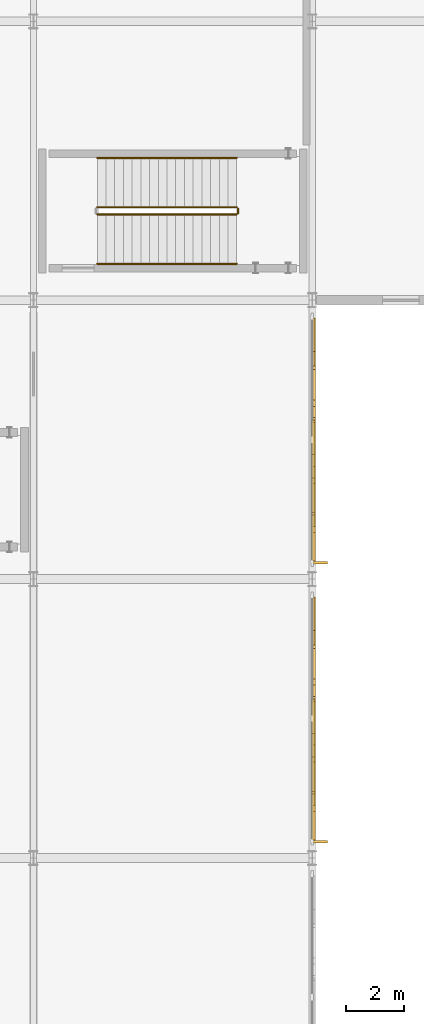
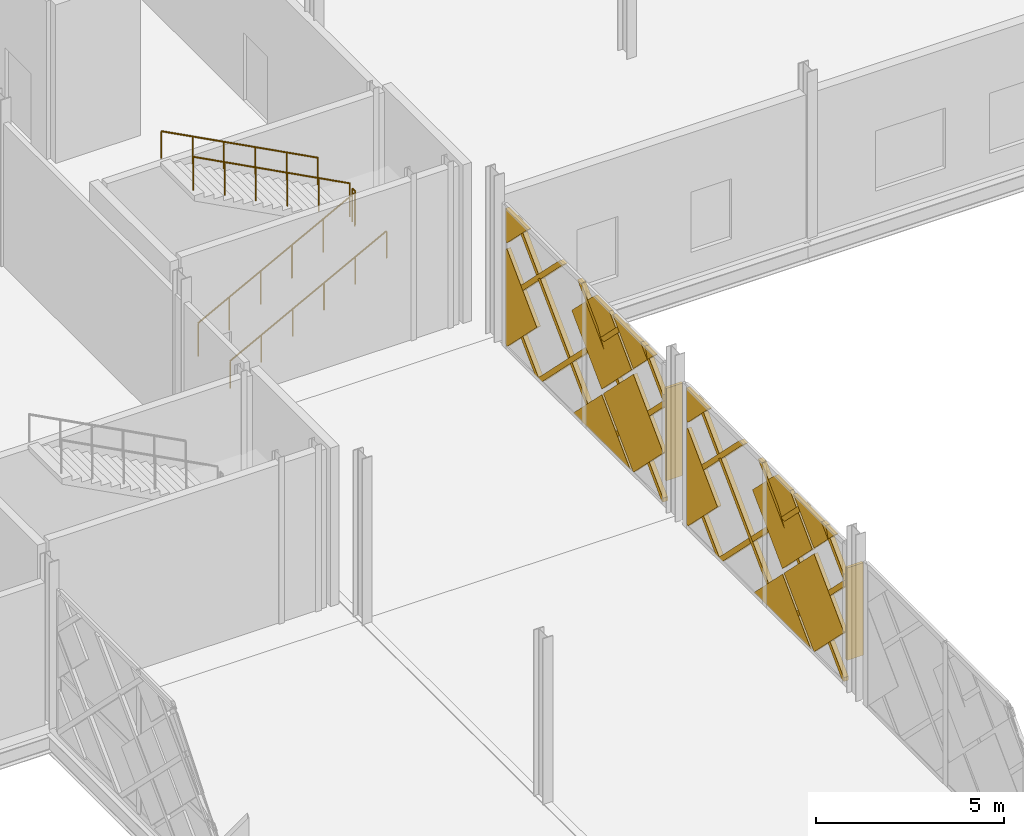
# One storey, part 76 of 84: 26 coverings, 5 railings, 2 shading devices.
"""IFC4 building model written with IfcOpenShell, lengths in metres."""

from ifc_helpers import new_model, si_unit, direction, frame, origin, origin_2d, place, context, subcontext, project, spatial, polyline, rectangle, circle, outline, extrude, material, layer, layer_set, type_object, element, save


model = new_model("IFC4")

# Units and contexts
model_context = context("Model", 3, precision=1e-05, world=origin(), true_north=direction((0.0, 1.0)))
body_context = subcontext(model_context, "Body", "Model", "MODEL_VIEW")
ifc_project = project(units=[si_unit("LENGTHUNIT", "METRE"), si_unit("AREAUNIT", "SQUARE_METRE"), si_unit("VOLUMEUNIT", "CUBIC_METRE"), si_unit("PLANEANGLEUNIT", "RADIAN"), si_unit("MASSUNIT", "GRAM", prefix="KILO")], contexts=[model_context])

# Site, building, storey
site_placement = place(None, origin())
site = spatial("IfcSite", under=ifc_project, at=site_placement, CompositionType="ELEMENT")
building_placement = place(site_placement, origin())
building = spatial("IfcBuilding", under=site, at=building_placement, Name="Zevrakil Square Congress Hotel", CompositionType="ELEMENT")
storey_placement = place(building_placement, origin())
storey = spatial("IfcBuildingStorey", under=building, at=storey_placement, Name="L01", CompositionType="ELEMENT", Elevation=0.0)

# Coverings
ifc_material_1 = material(Name="Architectural White Fibre-C GRC", Category="concrete")
ifc_layer_1 = layer(ifc_material_1, 0.06494140625)
ifc_layer_set_1 = layer_set([ifc_layer_1], Name="Architectural White Fibre-C GRC")
covering_type_1 = type_object("IfcCoveringType", Name="COV-DIA-WHITE", PredefinedType="CLADDING", material=ifc_layer_set_1)
covering_1_placement = place(storey_placement, frame((64.89404296875, 68.679931640625, 1.590087890625), z_axis=(0.999999790873, 0.0, 0.000646725815), x_axis=(0.000457304257, 0.707106707249, -0.707106707249)))
element("IfcCovering", 1, at=covering_1_placement, inside=storey, type_object=covering_type_1, Name="L01 45-degree white GRC diamond facade cassette 1837", PredefinedType="CLADDING", context=body_context, shape_type="SweptSolid", body=[
    extrude(outline(polyline([(0.0, 0.0), (2.1354765131557993, 0.0), (4.465861884739297e-07, -2.1354765131557527), (0.0, 0.0)])), origin(), (0.0, 0.0, -1.0), 0.1201171875),
])
covering_2_placement = place(storey_placement, frame((64.89306640625, 67.0, 3.27001953125), z_axis=(0.999999812555, 0.0, 0.000612282088), x_axis=(0.000432948857, 0.707106714509, -0.707106715321)))
element("IfcCovering", 2, at=covering_2_placement, inside=storey, type_object=covering_type_1, Name="L01 45-degree white GRC diamond facade cassette 1838", PredefinedType="CLADDING", context=body_context, shape_type="SweptSolid", body=[
    extrude(outline(polyline([(0.0, 0.0), (2.2487240723330113, -2.220446049250313e-16), (2.2485518629493897, -2.2485514388901082), (0.014156369068120789, -2.2487240696713924), (4.240836768421019e-07, -2.2345681273566487), (0.0, 0.0)])), origin(), (0.0, 0.0, -1.0), 0.1201171875),
])
covering_3_placement = place(storey_placement, frame((64.89501953125, 73.719970703125, 0.090087890625), z_axis=(0.999999810877, 4.3898e-08, 0.000615017515), x_axis=(-0.000434818663, -0.707161000838, 0.707052423677)))
element("IfcCovering", 3, at=covering_3_placement, inside=storey, type_object=covering_type_1, Name="L01 45-degree white GRC diamond facade cassette 1839", PredefinedType="CLADDING", context=body_context, shape_type="SweptSolid", body=[
    extrude(outline(polyline([(0.0, 0.0), (2.2485514454864757, 0.0), (2.248379222885326, -2.2487240657395344), (2.1634435533466254, -2.2487175608112517), (-0.0001791412122214009, -0.08476302283911175), (0.0, 0.0)])), origin(), (0.0, 0.0, -1.0), 0.1201171875),
])
covering_4_placement = place(storey_placement, frame((64.89306640625, 70.27001953125, 3.360107421875), z_axis=(0.999999855951, 0.0, 0.000536746823), x_axis=(0.000379537338, -0.707106744705, -0.707106715811)))
element("IfcCovering", 4, at=covering_4_placement, inside=storey, type_object=covering_type_1, Name="L01 45-degree white GRC diamond facade cassette 1840", PredefinedType="CLADDING", context=body_context, shape_type="SweptSolid", body=[
    extrude(outline(polyline([(0.0, 0.0), (2.2487239763057922, 0.0), (2.2485511107858227, -2.248551342805373), (0.5729702849818592, -2.24855141365585), (0.0001723897352289283, -1.6757534593043544), (0.0, 0.0)])), origin(), (0.0, 0.0, -1.0), 0.1201171875),
])
covering_5_placement = place(storey_placement, frame((64.892822265625, 67.0, 3.449951171875), z_axis=(0.999999900573, 0.0, 0.000445930836), x_axis=(-0.000315320734, -0.707106746034, 0.707106746034)))
element("IfcCovering", 5, at=covering_5_placement, inside=storey, type_object=covering_type_1, Name="L01 45-degree white GRC diamond facade cassette 1841", PredefinedType="CLADDING", context=body_context, shape_type="SweptSolid", body=[
    extrude(outline(polyline([(0.0, 0.0), (1.548522495743182, 1.1102230246251565e-16), (1.5396520214316922e-07, -1.5485224957431742), (0.0, 0.0)])), origin(), (0.0, 0.0, -1.0), 0.1201171875),
])
covering_6_placement = place(storey_placement, frame((64.892822265625, 73.719970703125, 3.449951171875), z_axis=(0.999999899787, -2.2101104e-05, 0.000447143071), x_axis=(-0.000331805751, -0.707106745765, 0.707106738759)))
element("IfcCovering", 6, at=covering_6_placement, inside=storey, type_object=covering_type_1, Name="L01 45-degree white GRC diamond facade cassette 1842", PredefinedType="CLADDING", context=body_context, shape_type="SweptSolid", body=[
    extrude(outline(polyline([(0.0, 0.0), (1.5485224955327719, -1.1102230246251565e-16), (0.7317934881557022, -0.8167290888028746), (-4.2082005241583786e-10, -0.08493567398217175), (0.0, 0.0)])), origin(), (0.0, 0.0, -1.0), 0.1201171875),
])
covering_7_placement = place(storey_placement, frame((64.89404296875, 78.280029296875, 1.590087890625), z_axis=(0.999999790873, 0.0, 0.000646725815), x_axis=(0.000457304257, 0.707106707249, -0.707106707249)))
element("IfcCovering", 7, at=covering_7_placement, inside=storey, type_object=covering_type_1, Name="L01 45-degree white GRC diamond facade cassette 1905", PredefinedType="CLADDING", context=body_context, shape_type="SweptSolid", body=[
    extrude(outline(polyline([(0.0, 0.0), (2.1354765131557993, 0.0), (4.465861884739297e-07, -2.1354765131557527), (0.0, 0.0)])), origin(), (0.0, 0.0, -1.0), 0.1201171875),
])
covering_8_placement = place(storey_placement, frame((64.89306640625, 76.60009765625, 3.27001953125), z_axis=(0.999999812555, 0.0, 0.000612281941), x_axis=(0.000432981992, 0.707052423992, -0.70716100165)))
element("IfcCovering", 8, at=covering_8_placement, inside=storey, type_object=covering_type_1, Name="L01 45-degree white GRC diamond facade cassette 1906", PredefinedType="CLADDING", context=body_context, shape_type="SweptSolid", body=[
    extrude(outline(polyline([(0.0, 0.0), (2.248551445484795, 2.220446049250313e-16), (2.2487244898296543, -2.2483787987232713), (0.014329015787474475, -2.248722976182532), (0.0001719840161686914, -2.2345681207382944), (0.0, 0.0)])), origin(), (0.0, 0.0, -1.0), 0.1201171875),
])
covering_9_placement = place(storey_placement, frame((64.89501953125, 83.320068359375, 0.090087890625), z_axis=(0.999999810879, 4.3911e-08, 0.000615014432), x_axis=(-0.000434816475, -0.707161000838, 0.707052423678)))
element("IfcCovering", 9, at=covering_9_placement, inside=storey, type_object=covering_type_1, Name="L01 45-degree white GRC diamond facade cassette 1907", PredefinedType="CLADDING", context=body_context, shape_type="SweptSolid", body=[
    extrude(outline(polyline([(0.0, 0.0), (2.248551445486479, 2.220446049250313e-16), (2.2483792228853345, -2.248724065739538), (2.1636162000752734, -2.2485449405579088), (-6.494483420688146e-06, -0.08459040258592557), (0.0, 0.0)])), origin(), (0.0, 0.0, -1.0), 0.1201171875),
])
covering_10_placement = place(storey_placement, frame((64.89306640625, 79.8701171875, 3.360107421875), z_axis=(0.999999855952, 0.0, 0.000536746209), x_axis=(0.000379536904, -0.707106744705, -0.707106715811)))
element("IfcCovering", 10, at=covering_10_placement, inside=storey, type_object=covering_type_1, Name="L01 45-degree white GRC diamond facade cassette 1908", PredefinedType="CLADDING", context=body_context, shape_type="SweptSolid", body=[
    extrude(outline(polyline([(0.0, 0.0), (2.248723976305845, -2.220446049250313e-16), (2.2487237442683643, -2.248723976305833), (0.5729702849818485, -2.2485514136558216), (0.00017238973523170387, -1.675753459304313), (0.0, 0.0)])), origin(), (0.0, 0.0, -1.0), 0.1201171875),
])
covering_11_placement = place(storey_placement, frame((64.892822265625, 76.60009765625, 3.449951171875), z_axis=(0.999999900573, 0.0, 0.000445930836), x_axis=(-0.000315285583, -0.707185563044, 0.707027920253)))
element("IfcCovering", 11, at=covering_11_placement, inside=storey, type_object=covering_type_1, Name="L01 45-degree white GRC diamond facade cassette 1909", PredefinedType="CLADDING", context=body_context, shape_type="SweptSolid", body=[
    extrude(outline(polyline([(0.0, 0.0), (1.548695138847854, -1.1102230246251565e-16), (-0.000172460290304155, -1.5485224861396563), (0.0, 0.0)])), origin(), (0.0, 0.0, -1.0), 0.1201171875),
])
covering_12_placement = place(storey_placement, frame((64.892822265625, 83.320068359375, 3.449951171875), z_axis=(0.999999899789, -2.2109769e-05, 0.000447138616), x_axis=(-0.000331808728, -0.707106745765, 0.707106738757)))
element("IfcCovering", 12, at=covering_12_placement, inside=storey, type_object=covering_type_1, Name="L01 45-degree white GRC diamond facade cassette 1910", PredefinedType="CLADDING", context=body_context, shape_type="SweptSolid", body=[
    extrude(outline(polyline([(0.0, 0.0), (1.548522495532696, -1.1102230246251565e-16), (0.7319661216386799, -0.8165564553026987), (0.00017263306196980271, -0.08476304048234454), (0.0, 0.0)])), origin(), (0.0, 0.0, -1.0), 0.1201171875),
])
ifc_material_2 = material(Name="Anodised Champagne Aluminium", Category="aluminium")
ifc_layer_2 = layer(ifc_material_2, 0.0849609375)
ifc_layer_set_2 = layer_set([ifc_layer_2], Name="Anodised Champagne Aluminium")
covering_type_2 = type_object("IfcCoveringType", Name="COV-DIAGRID-45", PredefinedType="MOLDING", material=ifc_layer_set_2)
covering_13_placement = place(storey_placement, frame((64.91796875, 65.419921875, 3.35400390625), z_axis=(0.999999886071, 0.000337533715, 0.000337533715), x_axis=(-0.000337533696, -1.13929e-07, 0.999999943035)))
element("IfcCovering", 13, at=covering_13_placement, inside=storey, type_object=covering_type_2, Name="L01 45-degree aluminium diagrid rib 1843", PredefinedType="MOLDING", context=body_context, shape_type="SweptSolid", body=[
    extrude(outline(polyline([(0.0, 0.0), (0.21215819103951278, -2.8078904387053947e-24), (1.1909180365900578, -0.9790040976986103), (1.1909180124190826, -1.1911622887381215), (0.0, 0.0)])), origin(), (0.0, 0.0, -1.0), 0.14501953125),
])
covering_14_placement = place(storey_placement, frame((64.919921875, 65.506103515625, 0.080078125), z_axis=(0.999999892816, 0.000179981473, 0.000426583994), x_axis=(0.000179981456, -0.999999983803, 7.6777e-08)))
element("IfcCovering", 14, at=covering_14_placement, inside=storey, type_object=covering_type_2, Name="L01 45-degree aluminium diagrid rib 1844", PredefinedType="MOLDING", context=body_context, shape_type="SweptSolid", body=[
    extrude(outline(polyline([(0.0, 0.0), (0.0861816392291448, -1.1406045165281983e-24), (0.08618164890127465, -0.12597655103777566), (-4.252685618546037, -4.464844489368776), (-4.465087958855827, -4.464844489368776), (0.0, 0.0)])), origin(), (0.0, 0.0, -1.0), 0.14501953125),
])
covering_15_placement = place(storey_placement, frame((64.919921875, 68.8662109375, 0.080078125), z_axis=(0.999999819107, 0.0, 0.000601487205), x_axis=(0.0, -1.0, 0.0)))
element("IfcCovering", 15, at=covering_15_placement, inside=storey, type_object=covering_type_2, Name="L01 45-degree aluminium diagrid rib 1845", PredefinedType="MOLDING", context=body_context, shape_type="SweptSolid", body=[
    extrude(outline(polyline([(0.0, 0.0), (0.21240234375, 0.0), (-4.252685546875, -4.464844557661115), (-4.46484375, -4.464844557661115), (0.0, 0.0)])), origin(), (0.0, 0.0, -1.0), 0.14501953125),
])
covering_16_placement = place(storey_placement, frame((64.919921875, 72.22607421875, 0.080078125), z_axis=(0.999999913476, 0.000294319207, 0.000293980909), x_axis=(0.000294319195, -0.999999956688, 8.6524e-08)))
element("IfcCovering", 16, at=covering_16_placement, inside=storey, type_object=covering_type_2, Name="L01 45-degree aluminium diagrid rib 1846", PredefinedType="MOLDING", context=body_context, shape_type="SweptSolid", body=[
    extrude(outline(polyline([(0.0, 0.0), (0.21215819393602536, -2.8078904387053947e-24), (-1.553955145429748, -1.7661134920227646), (-1.5539551638076978, -1.553711157451178), (0.0, 0.0)])), origin(), (0.0, 0.0, -1.0), 0.14501953125),
])
covering_17_placement = place(storey_placement, frame((64.918212890625, 65.419921875, 3.15380859375), z_axis=(0.999999586622, 0.00028696407, 0.000862790586), x_axis=(-0.000862790646, 8.2254e-08, 0.999999627796)))
element("IfcCovering", 17, at=covering_17_placement, inside=storey, type_object=covering_type_2, Name="L01 45-degree aluminium diagrid rib 1847", PredefinedType="MOLDING", context=body_context, shape_type="SweptSolid", body=[
    extrude(outline(polyline([(0.0, 0.0), (0.21240247533526213, 1.3234889800848443e-23), (-3.073730528894704, -3.2861332006295076), (-3.0737305463454954, -3.0739750062399502), (0.0, 0.0)])), origin(), (0.0, 0.0, -1.0), 0.14501953125),
])
covering_18_placement = place(storey_placement, frame((64.917236328125, 67.388916015625, 4.544921875), z_axis=(0.999999819107, 0.0, 0.000601487205), x_axis=(0.0, 1.0, 0.0)))
element("IfcCovering", 18, at=covering_18_placement, inside=storey, type_object=covering_type_2, Name="L01 45-degree aluminium diagrid rib 1848", PredefinedType="MOLDING", context=body_context, shape_type="SweptSolid", body=[
    extrude(outline(polyline([(0.0, 0.0), (0.212158203125, 0.0), (4.67724609375, -4.464844557661115), (4.465087890625, -4.464844557661115), (0.0, 0.0)])), origin(), (0.0, 0.0, -1.0), 0.14501953125),
])
covering_19_placement = place(storey_placement, frame((64.917236328125, 70.748779296875, 4.544921875), z_axis=(0.999999571141, 0.000262208902, 0.000888236855), x_axis=(-0.000262208798, 0.999999965623, -2.32904e-07)))
element("IfcCovering", 19, at=covering_19_placement, inside=storey, type_object=covering_type_2, Name="L01 45-degree aluminium diagrid rib 1849", PredefinedType="MOLDING", context=body_context, shape_type="SweptSolid", body=[
    extrude(outline(polyline([(0.0, 0.0), (0.2124023364482967, 1.124448645189272e-23), (3.031250104204541, -2.8188480622470005), (3.031250089601134, -3.0310063985340183), (0.0, 0.0)])), origin(), (0.0, 0.0, -1.0), 0.14501953125),
])
covering_20_placement = place(storey_placement, frame((64.91796875, 75.02001953125, 3.35400390625), z_axis=(0.999999886058, 0.000337358608, 0.000337746822), x_axis=(-0.000337746803, -1.13942e-07, 0.999999942964)))
element("IfcCovering", 20, at=covering_20_placement, inside=storey, type_object=covering_type_2, Name="L01 45-degree aluminium diagrid rib 1911", PredefinedType="MOLDING", context=body_context, shape_type="SweptSolid", body=[
    extrude(outline(polyline([(0.0, 0.0), (0.21215819102424724, -2.8078904387053947e-24), (1.1909180366757486, -0.9787599570170995), (1.1909180124742424, -1.1911622886802544), (0.0, 0.0)])), origin(), (0.0, 0.0, -1.0), 0.14501953125),
])
covering_21_placement = place(storey_placement, frame((64.919921875, 75.106201171875, 0.080078125), z_axis=(0.999999892841, 0.000180085904, 0.000426482509), x_axis=(0.000180085888, -0.999999983785, 7.6803e-08)))
element("IfcCovering", 21, at=covering_21_placement, inside=storey, type_object=covering_type_2, Name="L01 45-degree aluminium diagrid rib 1912", PredefinedType="MOLDING", context=body_context, shape_type="SweptSolid", body=[
    extrude(outline(polyline([(0.0, 0.0), (0.08618163922752449, 0.0), (0.08618164890296409, -0.12597655104322877), (-4.252685618629233, -4.464844489289502), (-4.464843818313988, -4.464844489289502), (0.0, 0.0)])), origin(), (0.0, 0.0, -1.0), 0.14501953125),
])
covering_22_placement = place(storey_placement, frame((64.919921875, 78.466064453125, 0.080078125), z_axis=(0.999999819107, 0.0, 0.000601487205), x_axis=(0.0, -1.0, 0.0)))
element("IfcCovering", 22, at=covering_22_placement, inside=storey, type_object=covering_type_2, Name="L01 45-degree aluminium diagrid rib 1913", PredefinedType="MOLDING", context=body_context, shape_type="SweptSolid", body=[
    extrude(outline(polyline([(0.0, 0.0), (0.212158203125, 0.0), (-4.2529296875, -4.464844557661115), (-4.465087890625, -4.464844557661115), (0.0, 0.0)])), origin(), (0.0, 0.0, -1.0), 0.14501953125),
])
covering_23_placement = place(storey_placement, frame((64.919921875, 81.826171875, 0.080078125), z_axis=(0.999999913463, 0.000294340865, 0.000294002542), x_axis=(0.000294340852, -0.999999956682, 8.6537e-08)))
element("IfcCovering", 23, at=covering_23_placement, inside=storey, type_object=covering_type_2, Name="L01 45-degree aluminium diagrid rib 1914", PredefinedType="MOLDING", context=body_context, shape_type="SweptSolid", body=[
    extrude(outline(polyline([(0.0, 0.0), (0.21215819393467297, 0.0), (-1.553711004804078, -1.7661134920326582), (-1.5537110231847324, -1.5537111574624223), (0.0, 0.0)])), origin(), (0.0, 0.0, -1.0), 0.14501953125),
])
covering_24_placement = place(storey_placement, frame((64.918212890625, 75.02001953125, 3.15380859375), z_axis=(0.999999586622, 0.00028696407, 0.000862790586), x_axis=(-0.000862790646, 8.2254e-08, 0.999999627796)))
element("IfcCovering", 24, at=covering_24_placement, inside=storey, type_object=covering_type_2, Name="L01 45-degree aluminium diagrid rib 1915", PredefinedType="MOLDING", context=body_context, shape_type="SweptSolid", body=[
    extrude(outline(polyline([(0.0, 0.0), (0.21240247533526213, 1.3234889800848443e-23), (-3.073730528894704, -3.2861332006295076), (-3.0737305463454954, -3.0739750062399502), (0.0, 0.0)])), origin(), (0.0, 0.0, -1.0), 0.14501953125),
])
covering_25_placement = place(storey_placement, frame((64.917236328125, 76.989013671875, 4.544921875), z_axis=(0.999999819107, 0.0, 0.000601487205), x_axis=(0.0, 1.0, 0.0)))
element("IfcCovering", 25, at=covering_25_placement, inside=storey, type_object=covering_type_2, Name="L01 45-degree aluminium diagrid rib 1916", PredefinedType="MOLDING", context=body_context, shape_type="SweptSolid", body=[
    extrude(outline(polyline([(0.0, 0.0), (0.212158203125, 0.0), (4.677001953125, -4.464844557661115), (4.46484375, -4.464844557661115), (0.0, 0.0)])), origin(), (0.0, 0.0, -1.0), 0.14501953125),
])
covering_26_placement = place(storey_placement, frame((64.917236328125, 80.348876953125, 4.544921875), z_axis=(0.999999570971, 0.000262365241, 0.000888382251), x_axis=(-0.000262365138, 0.999999965582, -2.33081e-07)))
element("IfcCovering", 26, at=covering_26_placement, inside=storey, type_object=covering_type_2, Name="L01 45-degree aluminium diagrid rib 1917", PredefinedType="MOLDING", context=body_context, shape_type="SweptSolid", body=[
    extrude(outline(polyline([(0.0, 0.0), (0.21215819582298975, 0.0), (3.031005963695437, -2.8188480621314063), (3.0310059490914165, -3.03100639842652), (0.0, 0.0)])), origin(), (0.0, 0.0, -1.0), 0.14501953125),
])

# Railings
ifc_material_3 = material(Name="Steel S355", Category="steel")
railing_type_1 = type_object("IfcRailingType", Name="RLG-STAIR-GUARD-1100", PredefinedType="BALUSTRADE", material=ifc_material_3)
railing_1_placement = place(storey_placement, frame((57.39990234375, 86.949951171875, 0.158935546875)))
element("IfcRailing", 27, at=railing_1_placement, inside=storey, type_object=railing_type_1, Name="L01 ST05 stair guard 1", PredefinedType="BALUSTRADE", context=body_context, shape_type="SweptSolid", body=[
    extrude(circle(Radius=0.02392578125, at=origin_2d()), frame((0.0, 0.0, 1.076171875), z_axis=(0.883802130504, 0.0, 0.467860870469), x_axis=(0.0, 1.0, 0.0)), (0.0, 0.0, 1.0), 5.43115234375),
    extrude(circle(Radius=0.02099609375, at=origin_2d()), origin(), (0.0, 0.0, 1.0), 1.052001953125),
    extrude(circle(Radius=0.02099609375, at=origin_2d()), frame((0.9599609375, 0.0, 0.50830078125)), (0.0, 0.0, 1.0), 1.052001953125),
    extrude(circle(Radius=0.02099609375, at=origin_2d()), frame((1.919921875, 0.0, 1.016357421875)), (0.0, 0.0, 1.0), 1.052001953125),
    extrude(circle(Radius=0.02099609375, at=origin_2d()), frame((2.880126953125, 0.0, 1.524658203125)), (0.0, 0.0, 1.0), 1.052001953125),
    extrude(circle(Radius=0.02099609375, at=origin_2d()), frame((3.840087890625, 0.0, 2.03271484375)), (0.0, 0.0, 1.0), 1.052001953125),
    extrude(circle(Radius=0.02099609375, at=origin_2d()), frame((4.800048828125, 0.0, 2.541015625)), (0.0, 0.0, 1.0), 1.052001953125),
])
railing_2_placement = place(storey_placement, frame((62.25, 87.0, 2.699951171875)))
element("IfcRailing", 28, at=railing_2_placement, inside=storey, type_object=railing_type_1, Name="L01 ST05 stair guard 2", PredefinedType="BALUSTRADE", context=body_context, shape_type="SweptSolid", body=[
    extrude(circle(Radius=0.02392578125, at=origin_2d()), frame((0.0, 0.0, 1.076171875), z_axis=(0.0, 1.0, 0.0), x_axis=(-1.0, 0.0, 0.0)), (0.0, 0.0, 1.0), 0.14990234375),
    extrude(circle(Radius=0.02099609375, at=origin_2d()), origin(), (0.0, 0.0, 1.0), 1.052001953125),
    extrude(circle(Radius=0.02099609375, at=origin_2d()), frame((0.0, 0.14990234375, 0.0)), (0.0, 0.0, 1.0), 1.052001953125),
])
railing_3_placement = place(storey_placement, frame((62.199951171875, 87.199951171875, 2.85888671875)))
element("IfcRailing", 29, at=railing_3_placement, inside=storey, type_object=railing_type_1, Name="L01 ST05 stair guard 3", PredefinedType="BALUSTRADE", context=body_context, shape_type="SweptSolid", body=[
    extrude(circle(Radius=0.02392578125, at=origin_2d()), frame((0.0, 0.0, 1.076171875), z_axis=(-0.883802130504, 0.0, 0.467860870469), x_axis=(0.0, -1.0, 0.0)), (0.0, 0.0, 1.0), 5.43115234375),
    extrude(circle(Radius=0.02099609375, at=origin_2d()), origin(), (0.0, 0.0, 1.0), 1.052001953125),
    extrude(circle(Radius=0.02099609375, at=origin_2d()), frame((-0.9599609375, 0.0, 0.50830078125)), (0.0, 0.0, 1.0), 1.052001953125),
    extrude(circle(Radius=0.02099609375, at=origin_2d()), frame((-1.919921875, 0.0, 1.016357421875)), (0.0, 0.0, 1.0), 1.052001953125),
    extrude(circle(Radius=0.02099609375, at=origin_2d()), frame((-2.880126953125, 0.0, 1.524658203125)), (0.0, 0.0, 1.0), 1.052001953125),
    extrude(circle(Radius=0.02099609375, at=origin_2d()), frame((-3.840087890625, 0.0, 2.03271484375)), (0.0, 0.0, 1.0), 1.052001953125),
    extrude(circle(Radius=0.02099609375, at=origin_2d()), frame((-4.800048828125, 0.0, 2.541015625)), (0.0, 0.0, 1.0), 1.052001953125),
])
ifc_material_4 = material(Name="Steel S355", Category="steel")
railing_type_2 = type_object("IfcRailingType", Name="RLG-STAIR-HAND-900", PredefinedType="HANDRAIL", material=ifc_material_4)
railing_4_placement = place(storey_placement, frame((57.39990234375, 85.25, 0.158935546875)))
element("IfcRailing", 30, at=railing_4_placement, inside=storey, type_object=railing_type_2, Name="L01 ST05 stair handrail 1", PredefinedType="HANDRAIL", context=body_context, shape_type="SweptSolid", body=[
    extrude(circle(Radius=0.02392578125, at=origin_2d()), frame((0.0, 0.0, 0.8759765625), z_axis=(0.883802130504, 0.0, 0.467860870469), x_axis=(0.0, 1.0, 0.0)), (0.0, 0.0, 1.0), 5.43115234375),
    extrude(circle(Radius=0.02099609375, at=origin_2d()), origin(), (0.0, 0.0, 1.0), 0.851806640625),
    extrude(circle(Radius=0.02099609375, at=origin_2d()), frame((0.9599609375, 0.0, 0.50830078125)), (0.0, 0.0, 1.0), 0.851806640625),
    extrude(circle(Radius=0.02099609375, at=origin_2d()), frame((1.919921875, 0.0, 1.016357421875)), (0.0, 0.0, 1.0), 0.851806640625),
    extrude(circle(Radius=0.02099609375, at=origin_2d()), frame((2.880126953125, 0.0, 1.524658203125)), (0.0, 0.0, 1.0), 0.851806640625),
    extrude(circle(Radius=0.02099609375, at=origin_2d()), frame((3.840087890625, 0.0, 2.03271484375)), (0.0, 0.0, 1.0), 0.851806640625),
    extrude(circle(Radius=0.02099609375, at=origin_2d()), frame((4.800048828125, 0.0, 2.541015625)), (0.0, 0.0, 1.0), 0.851806640625),
])
railing_5_placement = place(storey_placement, frame((62.199951171875, 88.89990234375, 2.85888671875)))
element("IfcRailing", 31, at=railing_5_placement, inside=storey, type_object=railing_type_2, Name="L01 ST05 stair handrail 2", PredefinedType="HANDRAIL", context=body_context, shape_type="SweptSolid", body=[
    extrude(circle(Radius=0.02392578125, at=origin_2d()), frame((0.0, 0.0, 0.8759765625), z_axis=(-0.883802130504, 0.0, 0.467860870469), x_axis=(0.0, -1.0, 0.0)), (0.0, 0.0, 1.0), 5.43115234375),
    extrude(circle(Radius=0.02099609375, at=origin_2d()), origin(), (0.0, 0.0, 1.0), 0.851806640625),
    extrude(circle(Radius=0.02099609375, at=origin_2d()), frame((-0.9599609375, 0.0, 0.50830078125)), (0.0, 0.0, 1.0), 0.851806640625),
    extrude(circle(Radius=0.02099609375, at=origin_2d()), frame((-1.919921875, 0.0, 1.016357421875)), (0.0, 0.0, 1.0), 0.851806640625),
    extrude(circle(Radius=0.02099609375, at=origin_2d()), frame((-2.880126953125, 0.0, 1.524658203125)), (0.0, 0.0, 1.0), 0.851806640625),
    extrude(circle(Radius=0.02099609375, at=origin_2d()), frame((-3.840087890625, 0.0, 2.03271484375)), (0.0, 0.0, 1.0), 0.851806640625),
    extrude(circle(Radius=0.02099609375, at=origin_2d()), frame((-4.800048828125, 0.0, 2.541015625)), (0.0, 0.0, 1.0), 0.851806640625),
])

# Shading devices
ifc_material_5 = material(Name="Aluminium Anodised Bronze", Category="aluminium")
shading_device_type = type_object("IfcShadingDeviceType", Name="SHD-FIN-50", PredefinedType="JALOUSIE", material=ifc_material_5)
for number, where, z_axis, x_axis, name in (
    (32, (65.070068359375, 65.360107421875, 0.8125), (0.0, 0.0, 1.0), (1.0, 0.0, 0.0), "L01 aluminium solar shading fin 100"),
    (33, (65.070068359375, 74.9599609375, 0.8125), (0.0, 0.0, 1.0), (1.0, 0.0, 0.0), "L01 aluminium solar shading fin 106"),
):
    element("IfcShadingDevice", number, at=place(storey_placement, frame(where, z_axis=z_axis, x_axis=x_axis)), inside=storey, type_object=shading_device_type, Name=name, PredefinedType="JALOUSIE", context=body_context, shape_type="SweptSolid", body=[
        extrude(rectangle(XDim=0.5, YDim=0.080078125, at=origin_2d()), origin(), (0.0, 0.0, 1.0), 3.0),
    ])

save(model, "model.ifc")
